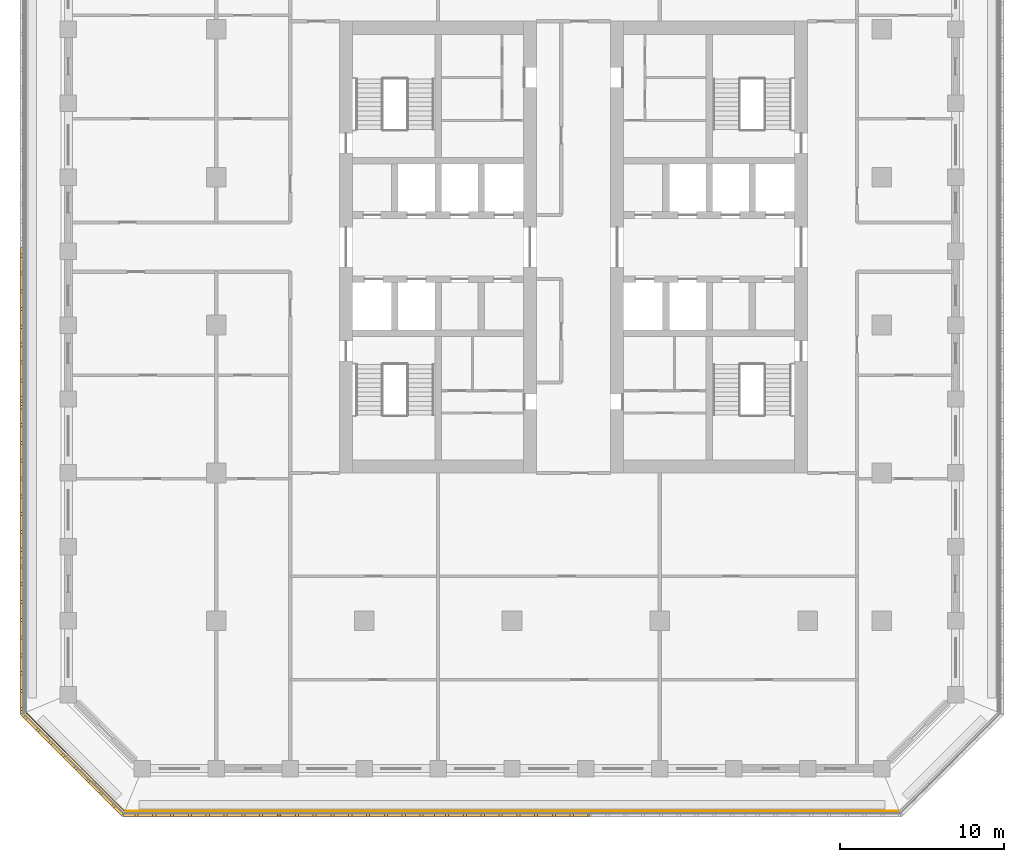
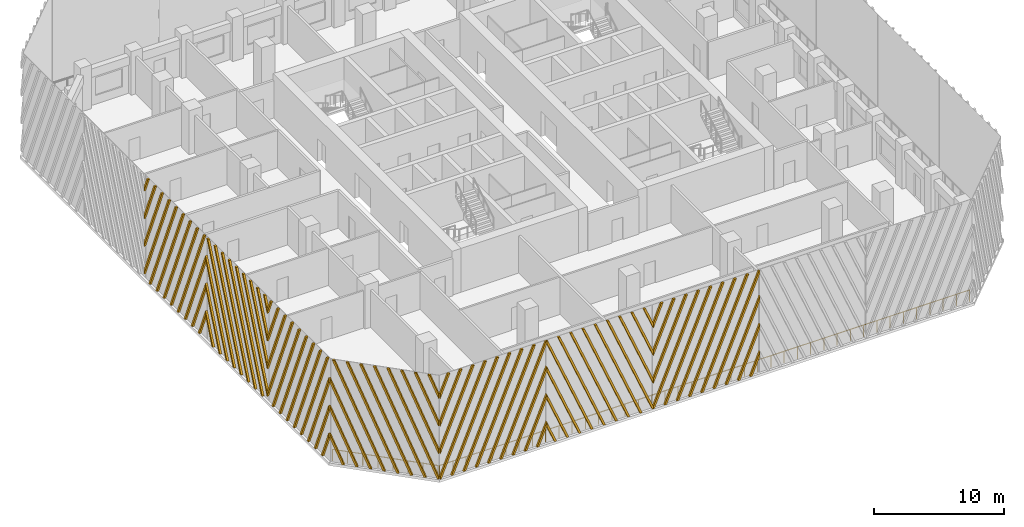
# One storey, part 10 of 18: 7 shading devices, 2 railings.
"""IFC4 building model written with IfcOpenShell, lengths in metres."""

from ifc_helpers import new_model, si_unit, direction, frame, origin, origin_2d, place, context, subcontext, project, spatial, polyline, circle, outline, extrude, source, transform, mapped, material, type_object, element, save


model = new_model("IFC4")

# Units and contexts
model_context = context("Model", 3, precision=1e-05, world=origin(), true_north=direction((0.0, 1.0)))
body_context = subcontext(model_context, "Body", "Model", "MODEL_VIEW")
ifc_project = project(units=[si_unit("LENGTHUNIT", "METRE"), si_unit("AREAUNIT", "SQUARE_METRE"), si_unit("VOLUMEUNIT", "CUBIC_METRE"), si_unit("PLANEANGLEUNIT", "RADIAN"), si_unit("MASSUNIT", "GRAM", prefix="KILO")], contexts=[model_context])

# Site, building, storey
site_placement = place(None, origin())
site = spatial("IfcSite", under=ifc_project, at=site_placement, CompositionType="ELEMENT")
building_placement = place(site_placement, origin())
building = spatial("IfcBuilding", under=site, at=building_placement, Name="Corbel Stack Research Tower", CompositionType="ELEMENT")
storey_placement = place(building_placement, frame((0.0, 0.0, 181.39990234375)))
storey = spatial("IfcBuildingStorey", under=building, at=storey_placement, Name="L41", CompositionType="ELEMENT", Elevation=181.39990234375)

# Railings
ifc_material_1 = material(Name="Powder-coated steel guard", Category="steel")
railing_type = type_object("IfcRailingType", Name="Steel and glass guard 1100", PredefinedType="GUARDRAIL", material=ifc_material_1)
railing_1_placement = place(storey_placement, frame((-23.50537109375, -29.60009765625, 0.0)))
element("IfcRailing", 1, at=railing_1_placement, inside=storey, type_object=railing_type, Name="Loggia guard L41 S", PredefinedType="GUARDRAIL", context=body_context, shape_type="SweptSolid", body=[
    extrude(circle(Radius=0.02392578125, at=origin_2d()), frame((0.0, 0.0, 1.076171875), z_axis=(1.0, 0.0, 0.0), x_axis=(0.0, 1.0, 0.0)), (0.0, 0.0, 1.0), 47.0107421875),
    extrude(circle(Radius=0.02099609375, at=origin_2d()), origin(), (0.0, 0.0, 1.0), 1.052001953125),
    extrude(circle(Radius=0.02099609375, at=origin_2d()), frame((1.17529296875, 0.0, 0.0)), (0.0, 0.0, 1.0), 1.052001953125),
    extrude(circle(Radius=0.02099609375, at=origin_2d()), frame((2.3505859375, 0.0, 0.0)), (0.0, 0.0, 1.0), 1.052001953125),
    extrude(circle(Radius=0.02099609375, at=origin_2d()), frame((3.52587890625, 0.0, 0.0)), (0.0, 0.0, 1.0), 1.052001953125),
    extrude(circle(Radius=0.02099609375, at=origin_2d()), frame((4.701171875, 0.0, 0.0)), (0.0, 0.0, 1.0), 1.052001953125),
    extrude(circle(Radius=0.02099609375, at=origin_2d()), frame((5.87646484375, 0.0, 0.0)), (0.0, 0.0, 1.0), 1.052001953125),
    extrude(circle(Radius=0.02099609375, at=origin_2d()), frame((7.051513671875, 0.0, 0.0)), (0.0, 0.0, 1.0), 1.052001953125),
    extrude(circle(Radius=0.02099609375, at=origin_2d()), frame((8.226806640625, 0.0, 0.0)), (0.0, 0.0, 1.0), 1.052001953125),
    extrude(circle(Radius=0.02099609375, at=origin_2d()), frame((9.402099609375, 0.0, 0.0)), (0.0, 0.0, 1.0), 1.052001953125),
    extrude(circle(Radius=0.02099609375, at=origin_2d()), frame((10.577392578125, 0.0, 0.0)), (0.0, 0.0, 1.0), 1.052001953125),
    extrude(circle(Radius=0.02099609375, at=origin_2d()), frame((11.752685546875, 0.0, 0.0)), (0.0, 0.0, 1.0), 1.052001953125),
    extrude(circle(Radius=0.02099609375, at=origin_2d()), frame((12.927978515625, 0.0, 0.0)), (0.0, 0.0, 1.0), 1.052001953125),
    extrude(circle(Radius=0.02099609375, at=origin_2d()), frame((14.103271484375, 0.0, 0.0)), (0.0, 0.0, 1.0), 1.052001953125),
    extrude(circle(Radius=0.02099609375, at=origin_2d()), frame((15.278564453125, 0.0, 0.0)), (0.0, 0.0, 1.0), 1.052001953125),
    extrude(circle(Radius=0.02099609375, at=origin_2d()), frame((16.453857421875, 0.0, 0.0)), (0.0, 0.0, 1.0), 1.052001953125),
    extrude(circle(Radius=0.02099609375, at=origin_2d()), frame((17.62890625, 0.0, 0.0)), (0.0, 0.0, 1.0), 1.052001953125),
    extrude(circle(Radius=0.02099609375, at=origin_2d()), frame((18.80419921875, 0.0, 0.0)), (0.0, 0.0, 1.0), 1.052001953125),
    extrude(circle(Radius=0.02099609375, at=origin_2d()), frame((19.9794921875, 0.0, 0.0)), (0.0, 0.0, 1.0), 1.052001953125),
    extrude(circle(Radius=0.02099609375, at=origin_2d()), frame((21.15478515625, 0.0, 0.0)), (0.0, 0.0, 1.0), 1.052001953125),
    extrude(circle(Radius=0.02099609375, at=origin_2d()), frame((22.330078125, 0.0, 0.0)), (0.0, 0.0, 1.0), 1.052001953125),
    extrude(circle(Radius=0.02099609375, at=origin_2d()), frame((23.50537109375, 0.0, 0.0)), (0.0, 0.0, 1.0), 1.052001953125),
    extrude(circle(Radius=0.02099609375, at=origin_2d()), frame((24.6806640625, 0.0, 0.0)), (0.0, 0.0, 1.0), 1.052001953125),
    extrude(circle(Radius=0.02099609375, at=origin_2d()), frame((25.85595703125, 0.0, 0.0)), (0.0, 0.0, 1.0), 1.052001953125),
    extrude(circle(Radius=0.02099609375, at=origin_2d()), frame((27.03125, 0.0, 0.0)), (0.0, 0.0, 1.0), 1.052001953125),
    extrude(circle(Radius=0.02099609375, at=origin_2d()), frame((28.20654296875, 0.0, 0.0)), (0.0, 0.0, 1.0), 1.052001953125),
    extrude(circle(Radius=0.02099609375, at=origin_2d()), frame((29.3818359375, 0.0, 0.0)), (0.0, 0.0, 1.0), 1.052001953125),
    extrude(circle(Radius=0.02099609375, at=origin_2d()), frame((30.556884765625, 0.0, 0.0)), (0.0, 0.0, 1.0), 1.052001953125),
    extrude(circle(Radius=0.02099609375, at=origin_2d()), frame((31.732177734375, 0.0, 0.0)), (0.0, 0.0, 1.0), 1.052001953125),
    extrude(circle(Radius=0.02099609375, at=origin_2d()), frame((32.907470703125, 0.0, 0.0)), (0.0, 0.0, 1.0), 1.052001953125),
    extrude(circle(Radius=0.02099609375, at=origin_2d()), frame((34.082763671875, 0.0, 0.0)), (0.0, 0.0, 1.0), 1.052001953125),
    extrude(circle(Radius=0.02099609375, at=origin_2d()), frame((35.258056640625, 0.0, 0.0)), (0.0, 0.0, 1.0), 1.052001953125),
    extrude(circle(Radius=0.02099609375, at=origin_2d()), frame((36.433349609375, 0.0, 0.0)), (0.0, 0.0, 1.0), 1.052001953125),
    extrude(circle(Radius=0.02099609375, at=origin_2d()), frame((37.608642578125, 0.0, 0.0)), (0.0, 0.0, 1.0), 1.052001953125),
    extrude(circle(Radius=0.02099609375, at=origin_2d()), frame((38.783935546875, 0.0, 0.0)), (0.0, 0.0, 1.0), 1.052001953125),
    extrude(circle(Radius=0.02099609375, at=origin_2d()), frame((39.959228515625, 0.0, 0.0)), (0.0, 0.0, 1.0), 1.052001953125),
    extrude(circle(Radius=0.02099609375, at=origin_2d()), frame((41.13427734375, 0.0, 0.0)), (0.0, 0.0, 1.0), 1.052001953125),
    extrude(circle(Radius=0.02099609375, at=origin_2d()), frame((42.3095703125, 0.0, 0.0)), (0.0, 0.0, 1.0), 1.052001953125),
    extrude(circle(Radius=0.02099609375, at=origin_2d()), frame((43.48486328125, 0.0, 0.0)), (0.0, 0.0, 1.0), 1.052001953125),
    extrude(circle(Radius=0.02099609375, at=origin_2d()), frame((44.66015625, 0.0, 0.0)), (0.0, 0.0, 1.0), 1.052001953125),
    extrude(circle(Radius=0.02099609375, at=origin_2d()), frame((45.83544921875, 0.0, 0.0)), (0.0, 0.0, 1.0), 1.052001953125),
    extrude(circle(Radius=0.02099609375, at=origin_2d()), frame((47.0107421875, 0.0, 0.0)), (0.0, 0.0, 1.0), 1.052001953125),
])
railing_2_placement = place(storey_placement, frame((-29.54931640625, -23.627685546875, 0.0)))
element("IfcRailing", 2, at=railing_2_placement, inside=storey, type_object=railing_type, Name="Loggia guard L41 SW", PredefinedType="GUARDRAIL", context=body_context, shape_type="SweptSolid", body=[
    extrude(circle(Radius=0.02392578125, at=origin_2d()), frame((0.0, 0.0, 1.076171875), z_axis=(0.707106781187, -0.707106781187, 0.0), x_axis=(0.707106781187, 0.707106781187, 0.0)), (0.0, 0.0, 1.0), 8.37451171875),
    extrude(circle(Radius=0.02099609375, at=origin_2d()), origin(), (0.0, 0.0, 1.0), 1.052001953125),
    extrude(circle(Radius=0.02099609375, at=origin_2d()), frame((0.845947265625, -0.845947265625, 0.0)), (0.0, 0.0, 1.0), 1.052001953125),
    extrude(circle(Radius=0.02099609375, at=origin_2d()), frame((1.69189453125, -1.69189453125, 0.0)), (0.0, 0.0, 1.0), 1.052001953125),
    extrude(circle(Radius=0.02099609375, at=origin_2d()), frame((2.537841796875, -2.537841796875, 0.0)), (0.0, 0.0, 1.0), 1.052001953125),
    extrude(circle(Radius=0.02099609375, at=origin_2d()), frame((3.3837890625, -3.3837890625, 0.0)), (0.0, 0.0, 1.0), 1.052001953125),
    extrude(circle(Radius=0.02099609375, at=origin_2d()), frame((4.229736328125, -4.229736328125, 0.0)), (0.0, 0.0, 1.0), 1.052001953125),
    extrude(circle(Radius=0.02099609375, at=origin_2d()), frame((5.07568359375, -5.07568359375, 0.0)), (0.0, 0.0, 1.0), 1.052001953125),
    extrude(circle(Radius=0.02099609375, at=origin_2d()), frame((5.921630859375, -5.921630859375, 0.0)), (0.0, 0.0, 1.0), 1.052001953125),
])

# Shading devices
ifc_material_2 = material(Name="Precast terracotta", Category="masonry")
shading_device_type = type_object("IfcShadingDeviceType", Name="Terracotta screen panel", PredefinedType="USERDEFINED", material=ifc_material_2)
shared_shape_1 = source(origin(), body_context, "Body", "SweptSolid", [
    extrude(outline(polyline([(0.87109375, 9.64990234375), (0.68115234375, 9.64990234375), (0.0, 8.01904296875), (0.0, 7.564208984375), (0.87109375, 9.64990234375)])), frame((0.0, 0.0, 0.0), z_axis=(0.0, -1.0, 0.0), x_axis=(1.0, 0.0, 0.0)), (0.0, 0.0, 1.0), 0.179931640625),
    extrude(outline(polyline([(1.955810546875, 9.64990234375), (1.765869140625, 9.64990234375), (0.0, 5.421875), (0.0, 4.966796875), (1.955810546875, 9.64990234375)])), frame((0.0, 0.0, 0.0), z_axis=(0.0, -1.0, 0.0), x_axis=(1.0, 0.0, 0.0)), (0.0, 0.0, 1.0), 0.179931640625),
    extrude(outline(polyline([(3.04052734375, 9.64990234375), (2.8505859375, 9.64990234375), (0.0, 2.82470703125), (0.0, 2.36962890625), (3.04052734375, 9.64990234375)])), frame((0.0, 0.0, 0.0), z_axis=(0.0, -1.0, 0.0), x_axis=(1.0, 0.0, 0.0)), (0.0, 0.0, 1.0), 0.179931640625),
    extrude(outline(polyline([(0.094970703125, 0.0), (4.125244140625, 9.64990234375), (3.935302734375, 9.64990234375), (0.0, 0.2275390625), (0.0, 0.0), (0.094970703125, 0.0)])), frame((0.0, 0.0, 0.0), z_axis=(0.0, -1.0, 0.0), x_axis=(1.0, 0.0, 0.0)), (0.0, 0.0, 1.0), 0.179931640625),
    extrude(outline(polyline([(1.1796875, 0.0), (5.209716796875, 9.64990234375), (5.019775390625, 9.64990234375), (0.98974609375, 0.0), (1.1796875, 0.0)])), frame((0.0, 0.0, 0.0), z_axis=(0.0, -1.0, 0.0), x_axis=(1.0, 0.0, 0.0)), (0.0, 0.0, 1.0), 0.179931640625),
    extrude(outline(polyline([(2.264404296875, 0.0), (6.29443359375, 9.64990234375), (6.1044921875, 9.64990234375), (2.07421875, 0.0), (2.264404296875, 0.0)])), frame((0.0, 0.0, 0.0), z_axis=(0.0, -1.0, 0.0), x_axis=(1.0, 0.0, 0.0)), (0.0, 0.0, 1.0), 0.179931640625),
    extrude(outline(polyline([(3.34912109375, 0.0), (7.379150390625, 9.64990234375), (7.189208984375, 9.64990234375), (3.158935546875, 0.0), (3.34912109375, 0.0)])), frame((0.0, 0.0, 0.0), z_axis=(0.0, -1.0, 0.0), x_axis=(1.0, 0.0, 0.0)), (0.0, 0.0, 1.0), 0.179931640625),
    extrude(outline(polyline([(4.43359375, 0.0), (8.4638671875, 9.64990234375), (8.273681640625, 9.64990234375), (4.24365234375, 0.0), (4.43359375, 0.0)])), frame((0.0, 0.0, 0.0), z_axis=(0.0, -1.0, 0.0), x_axis=(1.0, 0.0, 0.0)), (0.0, 0.0, 1.0), 0.179931640625),
    extrude(outline(polyline([(5.518310546875, 0.0), (9.45556640625, 9.427734375), (9.45556640625, 9.64990234375), (9.3583984375, 9.64990234375), (5.328369140625, 0.0), (5.518310546875, 0.0)])), frame((0.0, 0.0, 0.0), z_axis=(0.0, -1.0, 0.0), x_axis=(1.0, 0.0, 0.0)), (0.0, 0.0, 1.0), 0.179931640625),
    extrude(outline(polyline([(6.60302734375, 0.0), (9.45556640625, 6.83056640625), (9.45556640625, 7.285400390625), (6.4130859375, 0.0), (6.60302734375, 0.0)])), frame((0.0, 0.0, 0.0), z_axis=(0.0, -1.0, 0.0), x_axis=(1.0, 0.0, 0.0)), (0.0, 0.0, 1.0), 0.179931640625),
    extrude(outline(polyline([(7.687744140625, 0.0), (9.45556640625, 4.2333984375), (9.45556640625, 4.688232421875), (7.497802734375, 0.0), (7.687744140625, 0.0)])), frame((0.0, 0.0, 0.0), z_axis=(0.0, -1.0, 0.0), x_axis=(1.0, 0.0, 0.0)), (0.0, 0.0, 1.0), 0.179931640625),
    extrude(outline(polyline([(8.772216796875, 0.0), (9.45556640625, 1.635986328125), (9.45556640625, 2.091064453125), (8.582275390625, 0.0), (8.772216796875, 0.0)])), frame((0.0, 0.0, 0.0), z_axis=(0.0, -1.0, 0.0), x_axis=(1.0, 0.0, 0.0)), (0.0, 0.0, 1.0), 0.179931640625),
])
for number, where, z_axis, x_axis, name in (
    (3, (-23.63916015625, -29.75, 0.0), (0.0, 0.0, 1.0), (1.0, 0.0, 0.0), "Terracotta screen L41 S1"),
    (4, (-4.727783203125, -29.75, 0.0), (0.0, 0.0, 1.0), (1.0, 0.0, 0.0), "Terracotta screen L41 S3"),
):
    element("IfcShadingDevice", number, at=place(storey_placement, frame(where, z_axis=z_axis, x_axis=x_axis)), inside=storey, type_object=shading_device_type, Name=name, ObjectType="SCREEN", PredefinedType="USERDEFINED", context=body_context, shape_type="MappedRepresentation", body=[
        mapped(shared_shape_1, transform((0.0, 0.0, 0.0))),
    ])
shared_shape_2 = source(origin(), body_context, "Body", "SweptSolid", [
    extrude(outline(polyline([(0.873291015625, 0.0), (0.0, 2.091064453125), (0.0, 1.635986328125), (0.683349609375, 0.0), (0.873291015625, 0.0)])), frame((0.0, 0.0, 0.0), z_axis=(0.0, -1.0, 0.0), x_axis=(1.0, 0.0, 0.0)), (0.0, 0.0, 1.0), 0.179931640625),
    extrude(outline(polyline([(1.9580078125, 0.0), (0.0, 4.688232421875), (0.0, 4.2333984375), (1.76806640625, 0.0), (1.9580078125, 0.0)])), frame((0.0, 0.0, 0.0), z_axis=(0.0, -1.0, 0.0), x_axis=(1.0, 0.0, 0.0)), (0.0, 0.0, 1.0), 0.179931640625),
    extrude(outline(polyline([(3.04248046875, 0.0), (0.0, 7.285400390625), (0.0, 6.83056640625), (2.8525390625, 0.0), (3.04248046875, 0.0)])), frame((0.0, 0.0, 0.0), z_axis=(0.0, -1.0, 0.0), x_axis=(1.0, 0.0, 0.0)), (0.0, 0.0, 1.0), 0.179931640625),
    extrude(outline(polyline([(4.127197265625, 0.0), (0.09716796875, 9.64990234375), (0.0, 9.64990234375), (0.0, 9.427734375), (3.937255859375, 0.0), (4.127197265625, 0.0)])), frame((0.0, 0.0, 0.0), z_axis=(0.0, -1.0, 0.0), x_axis=(1.0, 0.0, 0.0)), (0.0, 0.0, 1.0), 0.179931640625),
    extrude(outline(polyline([(5.2119140625, 0.0), (1.181884765625, 9.64990234375), (0.99169921875, 9.64990234375), (5.02197265625, 0.0), (5.2119140625, 0.0)])), frame((0.0, 0.0, 0.0), z_axis=(0.0, -1.0, 0.0), x_axis=(1.0, 0.0, 0.0)), (0.0, 0.0, 1.0), 0.179931640625),
    extrude(outline(polyline([(6.296630859375, 0.0), (2.2666015625, 9.64990234375), (2.076416015625, 9.64990234375), (6.106689453125, 0.0), (6.296630859375, 0.0)])), frame((0.0, 0.0, 0.0), z_axis=(0.0, -1.0, 0.0), x_axis=(1.0, 0.0, 0.0)), (0.0, 0.0, 1.0), 0.179931640625),
    extrude(outline(polyline([(7.38134765625, 0.0), (3.351318359375, 9.64990234375), (3.1611328125, 9.64990234375), (7.19140625, 0.0), (7.38134765625, 0.0)])), frame((0.0, 0.0, 0.0), z_axis=(0.0, -1.0, 0.0), x_axis=(1.0, 0.0, 0.0)), (0.0, 0.0, 1.0), 0.179931640625),
    extrude(outline(polyline([(8.466064453125, 0.0), (4.435791015625, 9.64990234375), (4.245849609375, 9.64990234375), (8.27587890625, 0.0), (8.466064453125, 0.0)])), frame((0.0, 0.0, 0.0), z_axis=(0.0, -1.0, 0.0), x_axis=(1.0, 0.0, 0.0)), (0.0, 0.0, 1.0), 0.179931640625),
    extrude(outline(polyline([(9.45556640625, 0.0), (9.45556640625, 0.2275390625), (5.5205078125, 9.64990234375), (5.33056640625, 9.64990234375), (9.360595703125, 0.0), (9.45556640625, 0.0)])), frame((0.0, 0.0, 0.0), z_axis=(0.0, -1.0, 0.0), x_axis=(1.0, 0.0, 0.0)), (0.0, 0.0, 1.0), 0.179931640625),
    extrude(outline(polyline([(6.60498046875, 9.64990234375), (6.4150390625, 9.64990234375), (9.45556640625, 2.36962890625), (9.45556640625, 2.82470703125), (6.60498046875, 9.64990234375)])), frame((0.0, 0.0, 0.0), z_axis=(0.0, -1.0, 0.0), x_axis=(1.0, 0.0, 0.0)), (0.0, 0.0, 1.0), 0.179931640625),
    extrude(outline(polyline([(7.689697265625, 9.64990234375), (7.499755859375, 9.64990234375), (9.45556640625, 4.966796875), (9.45556640625, 5.421875), (7.689697265625, 9.64990234375)])), frame((0.0, 0.0, 0.0), z_axis=(0.0, -1.0, 0.0), x_axis=(1.0, 0.0, 0.0)), (0.0, 0.0, 1.0), 0.179931640625),
    extrude(outline(polyline([(8.7744140625, 9.64990234375), (8.58447265625, 9.64990234375), (9.45556640625, 7.564208984375), (9.45556640625, 8.01904296875), (8.7744140625, 9.64990234375)])), frame((0.0, 0.0, 0.0), z_axis=(0.0, -1.0, 0.0), x_axis=(1.0, 0.0, 0.0)), (0.0, 0.0, 1.0), 0.179931640625),
])
shading_device_1_placement = place(storey_placement, frame((-14.18359375, -29.75, 0.0), z_axis=(0.0, 0.0, 1.0), x_axis=(1.0, 0.0, 0.0)))
element("IfcShadingDevice", 5, at=shading_device_1_placement, inside=storey, type_object=shading_device_type, Name="Terracotta screen L41 S2", ObjectType="SCREEN", PredefinedType="USERDEFINED", context=body_context, shape_type="MappedRepresentation", body=[
    mapped(shared_shape_2, transform((0.0, 0.0, 0.0))),
])
shared_shape_3 = source(origin(), body_context, "Body", "SweptSolid", [
    extrude(outline(polyline([(0.60009765625, 9.64990234375), (0.409912109375, 9.64990234375), (0.0, 8.668212890625), (0.0, 8.21337890625), (0.60009765625, 9.64990234375)])), frame((0.0, 0.0, 0.0), z_axis=(0.0, -1.0, 0.0), x_axis=(1.0, 0.0, 0.0)), (0.0, 0.0, 1.0), 0.179931640625),
    extrude(outline(polyline([(1.684814453125, 9.64990234375), (1.49462890625, 9.64990234375), (0.0, 6.071044921875), (0.0, 5.6162109375), (1.684814453125, 9.64990234375)])), frame((0.0, 0.0, 0.0), z_axis=(0.0, -1.0, 0.0), x_axis=(1.0, 0.0, 0.0)), (0.0, 0.0, 1.0), 0.179931640625),
    extrude(outline(polyline([(2.769287109375, 9.64990234375), (2.579345703125, 9.64990234375), (0.0, 3.473876953125), (0.0, 3.01904296875), (2.769287109375, 9.64990234375)])), frame((0.0, 0.0, 0.0), z_axis=(0.0, -1.0, 0.0), x_axis=(1.0, 0.0, 0.0)), (0.0, 0.0, 1.0), 0.179931640625),
    extrude(outline(polyline([(3.85400390625, 9.64990234375), (3.6640625, 9.64990234375), (0.0, 0.876708984375), (0.0, 0.421875), (3.85400390625, 9.64990234375)])), frame((0.0, 0.0, 0.0), z_axis=(0.0, -1.0, 0.0), x_axis=(1.0, 0.0, 0.0)), (0.0, 0.0, 1.0), 0.179931640625),
    extrude(outline(polyline([(0.908447265625, 0.0), (4.938720703125, 9.64990234375), (4.748779296875, 9.64990234375), (0.718505859375, 0.0), (0.908447265625, 0.0)])), frame((0.0, 0.0, 0.0), z_axis=(0.0, -1.0, 0.0), x_axis=(1.0, 0.0, 0.0)), (0.0, 0.0, 1.0), 0.179931640625),
    extrude(outline(polyline([(1.9931640625, 0.0), (6.023193359375, 9.64990234375), (5.833251953125, 9.64990234375), (1.80322265625, 0.0), (1.9931640625, 0.0)])), frame((0.0, 0.0, 0.0), z_axis=(0.0, -1.0, 0.0), x_axis=(1.0, 0.0, 0.0)), (0.0, 0.0, 1.0), 0.179931640625),
    extrude(outline(polyline([(3.077880859375, 0.0), (7.10791015625, 9.64990234375), (6.91796875, 9.64990234375), (2.8876953125, 0.0), (3.077880859375, 0.0)])), frame((0.0, 0.0, 0.0), z_axis=(0.0, -1.0, 0.0), x_axis=(1.0, 0.0, 0.0)), (0.0, 0.0, 1.0), 0.179931640625),
    extrude(outline(polyline([(4.16259765625, 0.0), (8.192626953125, 9.64990234375), (8.002685546875, 9.64990234375), (3.972412109375, 0.0), (4.16259765625, 0.0)])), frame((0.0, 0.0, 0.0), z_axis=(0.0, -1.0, 0.0), x_axis=(1.0, 0.0, 0.0)), (0.0, 0.0, 1.0), 0.179931640625),
    extrude(outline(polyline([(5.247314453125, 0.0), (9.27734375, 9.64990234375), (9.08740234375, 9.64990234375), (5.05712890625, 0.0), (5.247314453125, 0.0)])), frame((0.0, 0.0, 0.0), z_axis=(0.0, -1.0, 0.0), x_axis=(1.0, 0.0, 0.0)), (0.0, 0.0, 1.0), 0.179931640625),
    extrude(outline(polyline([(6.331787109375, 0.0), (9.45556640625, 7.479736328125), (9.45556640625, 7.934814453125), (6.141845703125, 0.0), (6.331787109375, 0.0)])), frame((0.0, 0.0, 0.0), z_axis=(0.0, -1.0, 0.0), x_axis=(1.0, 0.0, 0.0)), (0.0, 0.0, 1.0), 0.179931640625),
    extrude(outline(polyline([(7.41650390625, 0.0), (9.45556640625, 4.882568359375), (9.45556640625, 5.337646484375), (7.2265625, 0.0), (7.41650390625, 0.0)])), frame((0.0, 0.0, 0.0), z_axis=(0.0, -1.0, 0.0), x_axis=(1.0, 0.0, 0.0)), (0.0, 0.0, 1.0), 0.179931640625),
    extrude(outline(polyline([(8.501220703125, 0.0), (9.45556640625, 2.285400390625), (9.45556640625, 2.740478515625), (8.311279296875, 0.0), (8.501220703125, 0.0)])), frame((0.0, 0.0, 0.0), z_axis=(0.0, -1.0, 0.0), x_axis=(1.0, 0.0, 0.0)), (0.0, 0.0, 1.0), 0.179931640625),
])
for number, where, z_axis, x_axis, name in (
    (6, (-29.75, 4.727783203125, 0.0), (0.0, 0.0, 1.0), (0.0, -1.0, 0.0), "Terracotta screen L41 W3"),
    (7, (-29.75, -14.18359375, 0.0), (0.0, 0.0, 1.0), (0.0, -1.0, 0.0), "Terracotta screen L41 W5"),
):
    element("IfcShadingDevice", number, at=place(storey_placement, frame(where, z_axis=z_axis, x_axis=x_axis)), inside=storey, type_object=shading_device_type, Name=name, ObjectType="SCREEN", PredefinedType="USERDEFINED", context=body_context, shape_type="MappedRepresentation", body=[
        mapped(shared_shape_3, transform((0.0, 0.0, 0.0))),
    ])
shared_shape_4 = source(origin(), body_context, "Body", "SweptSolid", [
    extrude(outline(polyline([(1.14453125, 0.0), (0.0, 2.740478515625), (0.0, 2.285400390625), (0.95458984375, 0.0), (1.14453125, 0.0)])), frame((0.0, 0.0, 0.0), z_axis=(0.0, -1.0, 0.0), x_axis=(1.0, 0.0, 0.0)), (0.0, 0.0, 1.0), 0.179931640625),
    extrude(outline(polyline([(2.22900390625, 0.0), (0.0, 5.337646484375), (0.0, 4.882568359375), (2.0390625, 0.0), (2.22900390625, 0.0)])), frame((0.0, 0.0, 0.0), z_axis=(0.0, -1.0, 0.0), x_axis=(1.0, 0.0, 0.0)), (0.0, 0.0, 1.0), 0.179931640625),
    extrude(outline(polyline([(3.313720703125, 0.0), (0.0, 7.934814453125), (0.0, 7.479736328125), (3.123779296875, 0.0), (3.313720703125, 0.0)])), frame((0.0, 0.0, 0.0), z_axis=(0.0, -1.0, 0.0), x_axis=(1.0, 0.0, 0.0)), (0.0, 0.0, 1.0), 0.179931640625),
    extrude(outline(polyline([(4.3984375, 0.0), (0.368408203125, 9.64990234375), (0.17822265625, 9.64990234375), (4.20849609375, 0.0), (4.3984375, 0.0)])), frame((0.0, 0.0, 0.0), z_axis=(0.0, -1.0, 0.0), x_axis=(1.0, 0.0, 0.0)), (0.0, 0.0, 1.0), 0.179931640625),
    extrude(outline(polyline([(5.483154296875, 0.0), (1.452880859375, 9.64990234375), (1.262939453125, 9.64990234375), (5.293212890625, 0.0), (5.483154296875, 0.0)])), frame((0.0, 0.0, 0.0), z_axis=(0.0, -1.0, 0.0), x_axis=(1.0, 0.0, 0.0)), (0.0, 0.0, 1.0), 0.179931640625),
    extrude(outline(polyline([(6.56787109375, 0.0), (2.53759765625, 9.64990234375), (2.34765625, 9.64990234375), (6.377685546875, 0.0), (6.56787109375, 0.0)])), frame((0.0, 0.0, 0.0), z_axis=(0.0, -1.0, 0.0), x_axis=(1.0, 0.0, 0.0)), (0.0, 0.0, 1.0), 0.179931640625),
    extrude(outline(polyline([(7.652587890625, 0.0), (3.622314453125, 9.64990234375), (3.432373046875, 9.64990234375), (7.46240234375, 0.0), (7.652587890625, 0.0)])), frame((0.0, 0.0, 0.0), z_axis=(0.0, -1.0, 0.0), x_axis=(1.0, 0.0, 0.0)), (0.0, 0.0, 1.0), 0.179931640625),
    extrude(outline(polyline([(8.737060546875, 0.0), (4.70703125, 9.64990234375), (4.51708984375, 9.64990234375), (8.547119140625, 0.0), (8.737060546875, 0.0)])), frame((0.0, 0.0, 0.0), z_axis=(0.0, -1.0, 0.0), x_axis=(1.0, 0.0, 0.0)), (0.0, 0.0, 1.0), 0.179931640625),
    extrude(outline(polyline([(5.79150390625, 9.64990234375), (5.6015625, 9.64990234375), (9.45556640625, 0.421875), (9.45556640625, 0.876708984375), (5.79150390625, 9.64990234375)])), frame((0.0, 0.0, 0.0), z_axis=(0.0, -1.0, 0.0), x_axis=(1.0, 0.0, 0.0)), (0.0, 0.0, 1.0), 0.179931640625),
    extrude(outline(polyline([(6.876220703125, 9.64990234375), (6.686279296875, 9.64990234375), (9.45556640625, 3.01904296875), (9.45556640625, 3.473876953125), (6.876220703125, 9.64990234375)])), frame((0.0, 0.0, 0.0), z_axis=(0.0, -1.0, 0.0), x_axis=(1.0, 0.0, 0.0)), (0.0, 0.0, 1.0), 0.179931640625),
    extrude(outline(polyline([(7.9609375, 9.64990234375), (7.77099609375, 9.64990234375), (9.45556640625, 5.6162109375), (9.45556640625, 6.071044921875), (7.9609375, 9.64990234375)])), frame((0.0, 0.0, 0.0), z_axis=(0.0, -1.0, 0.0), x_axis=(1.0, 0.0, 0.0)), (0.0, 0.0, 1.0), 0.179931640625),
    extrude(outline(polyline([(9.045654296875, 9.64990234375), (8.855712890625, 9.64990234375), (9.45556640625, 8.21337890625), (9.45556640625, 8.668212890625), (9.045654296875, 9.64990234375)])), frame((0.0, 0.0, 0.0), z_axis=(0.0, -1.0, 0.0), x_axis=(1.0, 0.0, 0.0)), (0.0, 0.0, 1.0), 0.179931640625),
])
shading_device_2_placement = place(storey_placement, frame((-29.75, -4.727783203125, 0.0), z_axis=(0.0, 0.0, 1.0), x_axis=(0.0, -1.0, 0.0)))
element("IfcShadingDevice", 8, at=shading_device_2_placement, inside=storey, type_object=shading_device_type, Name="Terracotta screen L41 W4", ObjectType="SCREEN", PredefinedType="USERDEFINED", context=body_context, shape_type="MappedRepresentation", body=[
    mapped(shared_shape_4, transform((0.0, 0.0, 0.0))),
])
shared_shape_5 = source(origin(), body_context, "Body", "SweptSolid", [
    extrude(outline(polyline([(1.14453125, 0.0), (0.0, 2.740478515625), (0.0, 2.285400390625), (0.95458984375, 0.0), (1.14453125, 0.0)])), frame((0.0, 0.0, 0.0), z_axis=(0.0, -1.0, 0.0), x_axis=(1.0, 0.0, 0.0)), (0.0, 0.0, 1.0), 0.179931640625),
    extrude(outline(polyline([(2.22900390625, 0.0), (0.0, 5.337646484375), (0.0, 4.882568359375), (2.0390625, 0.0), (2.22900390625, 0.0)])), frame((0.0, 0.0, 0.0), z_axis=(0.0, -1.0, 0.0), x_axis=(1.0, 0.0, 0.0)), (0.0, 0.0, 1.0), 0.179931640625),
    extrude(outline(polyline([(3.313720703125, 0.0), (0.0, 7.934814453125), (0.0, 7.479736328125), (3.123779296875, 0.0), (3.313720703125, 0.0)])), frame((0.0, 0.0, 0.0), z_axis=(0.0, -1.0, 0.0), x_axis=(1.0, 0.0, 0.0)), (0.0, 0.0, 1.0), 0.179931640625),
    extrude(outline(polyline([(4.3984375, 0.0), (0.368408203125, 9.64990234375), (0.17822265625, 9.64990234375), (4.20849609375, 0.0), (4.3984375, 0.0)])), frame((0.0, 0.0, 0.0), z_axis=(0.0, -1.0, 0.0), x_axis=(1.0, 0.0, 0.0)), (0.0, 0.0, 1.0), 0.179931640625),
    extrude(outline(polyline([(5.483154296875, 0.0), (1.452880859375, 9.64990234375), (1.262939453125, 9.64990234375), (5.293212890625, 0.0), (5.483154296875, 0.0)])), frame((0.0, 0.0, 0.0), z_axis=(0.0, -1.0, 0.0), x_axis=(1.0, 0.0, 0.0)), (0.0, 0.0, 1.0), 0.179931640625),
    extrude(outline(polyline([(6.56787109375, 0.0), (2.53759765625, 9.64990234375), (2.34765625, 9.64990234375), (6.377685546875, 0.0), (6.56787109375, 0.0)])), frame((0.0, 0.0, 0.0), z_axis=(0.0, -1.0, 0.0), x_axis=(1.0, 0.0, 0.0)), (0.0, 0.0, 1.0), 0.179931640625),
    extrude(outline(polyline([(7.652587890625, 0.0), (3.622314453125, 9.64990234375), (3.432373046875, 9.64990234375), (7.46240234375, 0.0), (7.652587890625, 0.0)])), frame((0.0, 0.0, 0.0), z_axis=(0.0, -1.0, 0.0), x_axis=(1.0, 0.0, 0.0)), (0.0, 0.0, 1.0), 0.179931640625),
    extrude(outline(polyline([(8.64208984375, 0.0), (8.64208984375, 0.2275390625), (4.70703125, 9.64990234375), (4.51708984375, 9.64990234375), (8.547119140625, 0.0), (8.64208984375, 0.0)])), frame((0.0, 0.0, 0.0), z_axis=(0.0, -1.0, 0.0), x_axis=(1.0, 0.0, 0.0)), (0.0, 0.0, 1.0), 0.179931640625),
    extrude(outline(polyline([(5.79150390625, 9.64990234375), (5.6015625, 9.64990234375), (8.64208984375, 2.36962890625), (8.64208984375, 2.82470703125), (5.79150390625, 9.64990234375)])), frame((0.0, 0.0, 0.0), z_axis=(0.0, -1.0, 0.0), x_axis=(1.0, 0.0, 0.0)), (0.0, 0.0, 1.0), 0.179931640625),
    extrude(outline(polyline([(6.876220703125, 9.64990234375), (6.686279296875, 9.64990234375), (8.64208984375, 4.966796875), (8.64208984375, 5.421875), (6.876220703125, 9.64990234375)])), frame((0.0, 0.0, 0.0), z_axis=(0.0, -1.0, 0.0), x_axis=(1.0, 0.0, 0.0)), (0.0, 0.0, 1.0), 0.179931640625),
    extrude(outline(polyline([(7.9609375, 9.64990234375), (7.77099609375, 9.64990234375), (8.64208984375, 7.564208984375), (8.64208984375, 8.01904296875), (7.9609375, 9.64990234375)])), frame((0.0, 0.0, 0.0), z_axis=(0.0, -1.0, 0.0), x_axis=(1.0, 0.0, 0.0)), (0.0, 0.0, 1.0), 0.179931640625),
])
shading_device_3_placement = place(storey_placement, frame((-29.75, -23.63916015625, 0.0), z_axis=(0.0, 0.0, 1.0), x_axis=(0.707106781187, -0.707106781187, 0.0)))
element("IfcShadingDevice", 9, at=shading_device_3_placement, inside=storey, type_object=shading_device_type, Name="Terracotta screen L41 SW1", ObjectType="SCREEN", PredefinedType="USERDEFINED", context=body_context, shape_type="MappedRepresentation", body=[
    mapped(shared_shape_5, transform((0.0, 0.0, 0.0))),
])

save(model, "model.ifc")
